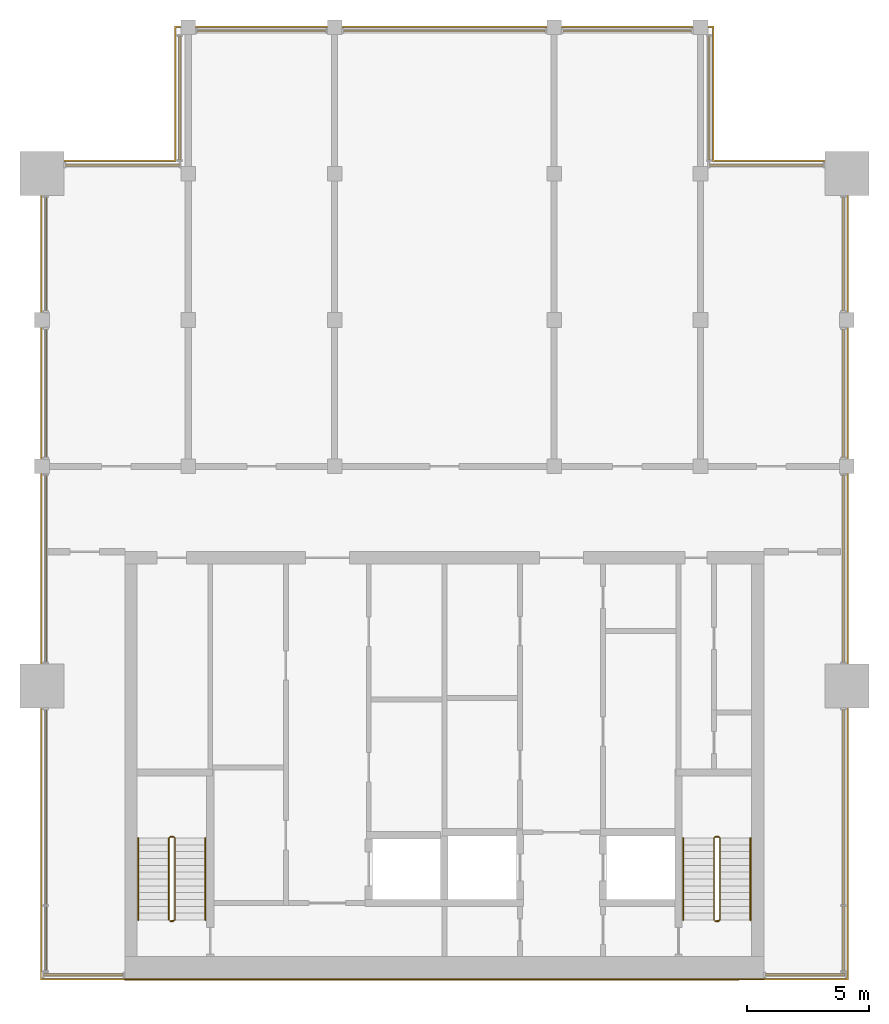
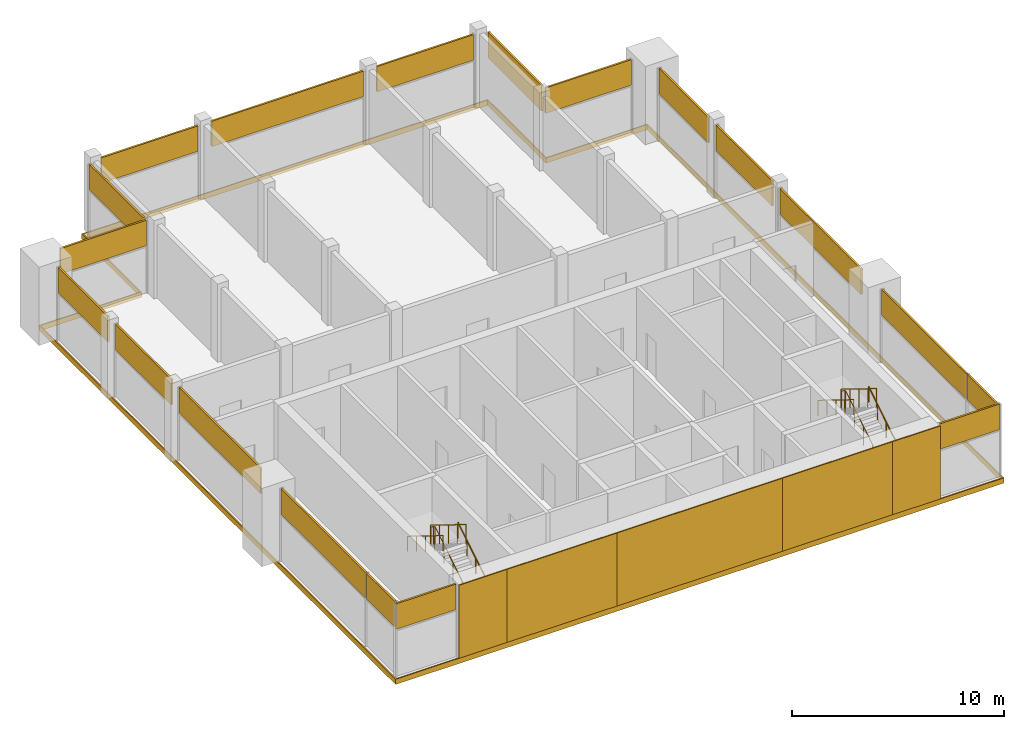
# One storey, part 9 of 9: 19 shading devices, 6 coverings, 6 railings, 17 elements without a shape of their own.
"""IFC4 building model written with IfcOpenShell, lengths in metres."""

from ifc_helpers import new_model, si_unit, direction, frame, origin, origin_2d, place, context, subcontext, project, spatial, polyline, rectangle, circle, outline, extrude, material, layer, layer_set, type_object, element, aggregate, save


model = new_model("IFC4")

# Units and contexts
model_context = context("Model", 3, precision=1e-05, world=origin(), true_north=direction((0.0, 1.0)))
body_context = subcontext(model_context, "Body", "Model", "MODEL_VIEW")
ifc_project = project(units=[si_unit("LENGTHUNIT", "METRE"), si_unit("AREAUNIT", "SQUARE_METRE"), si_unit("VOLUMEUNIT", "CUBIC_METRE"), si_unit("PLANEANGLEUNIT", "RADIAN"), si_unit("MASSUNIT", "GRAM", prefix="KILO")], contexts=[model_context])

# Site, building, storey
site_placement = place(None, origin())
site = spatial("IfcSite", under=ifc_project, at=site_placement, CompositionType="ELEMENT")
building_placement = place(site_placement, origin())
building = spatial("IfcBuilding", under=site, at=building_placement, Name="Finial Court Residences", CompositionType="ELEMENT")
storey_placement = place(building_placement, frame((0.0, 0.0, 303.199951171875)))
storey = spatial("IfcBuildingStorey", under=building, at=storey_placement, Name="L77", CompositionType="ELEMENT", Elevation=303.199951171875)

# Curtain wall, shading device
ifc_material_1 = material(Name="Bronze anodised aluminium", Category="aluminium")
curtain_wall_type = type_object("IfcCurtainWallType", Name="Crown lantern glazing", PredefinedType="NOTDEFINED", material=ifc_material_1)
curtain_wall_1_placement = place(storey_placement, origin())
curtain_wall_1 = element("IfcCurtainWall", 1, at=curtain_wall_1_placement, inside=storey, type_object=curtain_wall_type, Name="E-L77-CW-N1c1", PredefinedType="NOTDEFINED")
ifc_layer_1 = layer(ifc_material_1, 0.10009765625)
ifc_layer_set_1 = layer_set([ifc_layer_1], Name="CW6 louvre panel 100")
shading_device_type = type_object("IfcShadingDeviceType", Name="CW6 louvre panel 100", PredefinedType="USERDEFINED", material=ifc_layer_set_1)
shading_device_1_placement = place(storey_placement, frame((-7.5, 13.35009765625, 2.73486328125), z_axis=(0.0, 0.0, 1.0), x_axis=(1.0, 0.0, 0.0)))
shading_device_1 = element("IfcShadingDevice", 2, at=shading_device_1_placement, type_object=shading_device_type, Name="CW6 louvre 1.2", ObjectType="LOUVRE", PredefinedType="USERDEFINED", context=body_context, shape_type="SweptSolid", body=[
    extrude(rectangle(XDim=5.260009765625, YDim=0.10009765625, at=origin_2d()), origin(), (0.0, 0.0, 1.0), 1.465087890625),
])
aggregate(curtain_wall_1, [shading_device_1])

curtain_wall_2_placement = place(storey_placement, origin())
curtain_wall_2 = element("IfcCurtainWall", 3, at=curtain_wall_2_placement, inside=storey, type_object=curtain_wall_type, Name="E-L77-CW-N1c2", PredefinedType="NOTDEFINED")
shading_device_2_placement = place(storey_placement, frame((0.0, 13.35009765625, 2.73486328125), z_axis=(0.0, 0.0, 1.0), x_axis=(1.0, 0.0, 0.0)))
shading_device_2 = element("IfcShadingDevice", 4, at=shading_device_2_placement, type_object=shading_device_type, Name="CW6 louvre 1.2", ObjectType="LOUVRE", PredefinedType="USERDEFINED", context=body_context, shape_type="SweptSolid", body=[
    extrude(rectangle(XDim=8.260009765625, YDim=0.10009765625, at=origin_2d()), origin(), (0.0, 0.0, 1.0), 1.465087890625),
])
aggregate(curtain_wall_2, [shading_device_2])

curtain_wall_3_placement = place(storey_placement, origin())
curtain_wall_3 = element("IfcCurtainWall", 5, at=curtain_wall_3_placement, inside=storey, type_object=curtain_wall_type, Name="E-L77-CW-N1c3", PredefinedType="NOTDEFINED")
shading_device_3_placement = place(storey_placement, frame((7.5, 13.35009765625, 2.73486328125), z_axis=(0.0, 0.0, 1.0), x_axis=(1.0, 0.0, 0.0)))
shading_device_3 = element("IfcShadingDevice", 6, at=shading_device_3_placement, type_object=shading_device_type, Name="CW6 louvre 1.2", ObjectType="LOUVRE", PredefinedType="USERDEFINED", context=body_context, shape_type="SweptSolid", body=[
    extrude(rectangle(XDim=5.260009765625, YDim=0.10009765625, at=origin_2d()), origin(), (0.0, 0.0, 1.0), 1.465087890625),
])
aggregate(curtain_wall_3, [shading_device_3])

# Curtain wall, shading devices
curtain_wall_4_placement = place(storey_placement, origin())
curtain_wall_4 = element("IfcCurtainWall", 7, at=curtain_wall_4_placement, inside=storey, type_object=curtain_wall_type, Name="E-L77-CW-E2c1", PredefinedType="NOTDEFINED")
shading_device_4_placement = place(storey_placement, frame((16.35009765625, -23.857421875, 2.73486328125), z_axis=(0.0, 0.0, 1.0), x_axis=(0.0, 1.0, 0.0)))
shading_device_4 = element("IfcShadingDevice", 8, at=shading_device_4_placement, type_object=shading_device_type, Name="CW6 louvre 1.2", ObjectType="LOUVRE", PredefinedType="USERDEFINED", context=body_context, shape_type="SweptSolid", body=[
    extrude(rectangle(XDim=2.64501953125, YDim=0.10009765625, at=origin_2d()), origin(), (0.0, 0.0, 1.0), 1.465087890625),
])
shading_device_5_placement = place(storey_placement, frame((16.35009765625, -18.467529296875, 2.73486328125), z_axis=(0.0, 0.0, 1.0), x_axis=(0.0, 1.0, 0.0)))
shading_device_5 = element("IfcShadingDevice", 9, at=shading_device_5_placement, type_object=shading_device_type, Name="CW6 louvre 2.2", ObjectType="LOUVRE", PredefinedType="USERDEFINED", context=body_context, shape_type="SweptSolid", body=[
    extrude(rectangle(XDim=7.9951171875, YDim=0.10009765625, at=origin_2d()), origin(), (0.0, 0.0, 1.0), 1.465087890625),
])
aggregate(curtain_wall_4, [shading_device_4, shading_device_5])

# Curtain wall, shading device
curtain_wall_5_placement = place(storey_placement, origin())
curtain_wall_5 = element("IfcCurtainWall", 10, at=curtain_wall_5_placement, inside=storey, type_object=curtain_wall_type, Name="E-L77-CW-E2c2", PredefinedType="NOTDEFINED")
shading_device_6_placement = place(storey_placement, frame((16.35009765625, -8.699951171875, 2.73486328125), z_axis=(0.0, 0.0, 1.0), x_axis=(0.0, 1.0, 0.0)))
shading_device_6 = element("IfcShadingDevice", 11, at=shading_device_6_placement, type_object=shading_device_type, Name="CW6 louvre 1.2", ObjectType="LOUVRE", PredefinedType="USERDEFINED", context=body_context, shape_type="SweptSolid", body=[
    extrude(rectangle(XDim=7.659912109375, YDim=0.10009765625, at=origin_2d()), origin(), (0.0, 0.0, 1.0), 1.465087890625),
])
aggregate(curtain_wall_5, [shading_device_6])

curtain_wall_6_placement = place(storey_placement, origin())
curtain_wall_6 = element("IfcCurtainWall", 12, at=curtain_wall_6_placement, inside=storey, type_object=curtain_wall_type, Name="E-L77-CW-E2c3", PredefinedType="NOTDEFINED")
shading_device_7_placement = place(storey_placement, frame((16.35009765625, -1.5, 2.73486328125), z_axis=(0.0, 0.0, 1.0), x_axis=(0.0, 1.0, 0.0)))
shading_device_7 = element("IfcShadingDevice", 13, at=shading_device_7_placement, type_object=shading_device_type, Name="CW6 louvre 1.2", ObjectType="LOUVRE", PredefinedType="USERDEFINED", context=body_context, shape_type="SweptSolid", body=[
    extrude(rectangle(XDim=5.260009765625, YDim=0.10009765625, at=origin_2d()), origin(), (0.0, 0.0, 1.0), 1.465087890625),
])
aggregate(curtain_wall_6, [shading_device_7])

curtain_wall_7_placement = place(storey_placement, origin())
curtain_wall_7 = element("IfcCurtainWall", 14, at=curtain_wall_7_placement, inside=storey, type_object=curtain_wall_type, Name="E-L77-CW-E2c4", PredefinedType="NOTDEFINED")
shading_device_8_placement = place(storey_placement, frame((16.35009765625, 4.199951171875, 2.73486328125), z_axis=(0.0, 0.0, 1.0), x_axis=(0.0, 1.0, 0.0)))
shading_device_8 = element("IfcShadingDevice", 15, at=shading_device_8_placement, type_object=shading_device_type, Name="CW6 louvre 1.2", ObjectType="LOUVRE", PredefinedType="USERDEFINED", context=body_context, shape_type="SweptSolid", body=[
    extrude(rectangle(XDim=4.659912109375, YDim=0.10009765625, at=origin_2d()), origin(), (0.0, 0.0, 1.0), 1.465087890625),
])
aggregate(curtain_wall_7, [shading_device_8])

curtain_wall_8_placement = place(storey_placement, origin())
curtain_wall_8 = element("IfcCurtainWall", 16, at=curtain_wall_8_placement, inside=storey, type_object=curtain_wall_type, Name="E-L77-CW-S3", PredefinedType="NOTDEFINED")
shading_device_9_placement = place(storey_placement, frame((-14.800048828125, -25.35009765625, 2.73486328125), z_axis=(0.0, 0.0, 1.0), x_axis=(1.0, 0.0, 0.0)))
shading_device_9 = element("IfcShadingDevice", 17, at=shading_device_9_placement, type_object=shading_device_type, Name="CW6 louvre 1.2", ObjectType="LOUVRE", PredefinedType="USERDEFINED", context=body_context, shape_type="SweptSolid", body=[
    extrude(rectangle(XDim=3.260009765625, YDim=0.10009765625, at=origin_2d()), origin(), (0.0, 0.0, 1.0), 1.465087890625),
])
aggregate(curtain_wall_8, [shading_device_9])

curtain_wall_9_placement = place(storey_placement, origin())
curtain_wall_9 = element("IfcCurtainWall", 18, at=curtain_wall_9_placement, inside=storey, type_object=curtain_wall_type, Name="E-L77-CW-S4", PredefinedType="NOTDEFINED")
shading_device_10_placement = place(storey_placement, frame((14.800048828125, -25.35009765625, 2.73486328125), z_axis=(0.0, 0.0, 1.0), x_axis=(1.0, 0.0, 0.0)))
shading_device_10 = element("IfcShadingDevice", 19, at=shading_device_10_placement, type_object=shading_device_type, Name="CW6 louvre 1.2", ObjectType="LOUVRE", PredefinedType="USERDEFINED", context=body_context, shape_type="SweptSolid", body=[
    extrude(rectangle(XDim=3.260009765625, YDim=0.10009765625, at=origin_2d()), origin(), (0.0, 0.0, 1.0), 1.465087890625),
])
aggregate(curtain_wall_9, [shading_device_10])

# Curtain wall, shading devices
curtain_wall_10_placement = place(storey_placement, origin())
curtain_wall_10 = element("IfcCurtainWall", 20, at=curtain_wall_10_placement, inside=storey, type_object=curtain_wall_type, Name="E-L77-CW-W5c1", PredefinedType="NOTDEFINED")
shading_device_11_placement = place(storey_placement, frame((-16.35009765625, -23.857421875, 2.73486328125), z_axis=(0.0, 0.0, 1.0), x_axis=(0.0, 1.0, 0.0)))
shading_device_11 = element("IfcShadingDevice", 21, at=shading_device_11_placement, type_object=shading_device_type, Name="CW6 louvre 1.2", ObjectType="LOUVRE", PredefinedType="USERDEFINED", context=body_context, shape_type="SweptSolid", body=[
    extrude(rectangle(XDim=2.64501953125, YDim=0.10009765625, at=origin_2d()), origin(), (0.0, 0.0, 1.0), 1.465087890625),
])
shading_device_12_placement = place(storey_placement, frame((-16.35009765625, -18.467529296875, 2.73486328125), z_axis=(0.0, 0.0, 1.0), x_axis=(0.0, 1.0, 0.0)))
shading_device_12 = element("IfcShadingDevice", 22, at=shading_device_12_placement, type_object=shading_device_type, Name="CW6 louvre 2.2", ObjectType="LOUVRE", PredefinedType="USERDEFINED", context=body_context, shape_type="SweptSolid", body=[
    extrude(rectangle(XDim=7.9951171875, YDim=0.10009765625, at=origin_2d()), origin(), (0.0, 0.0, 1.0), 1.465087890625),
])
aggregate(curtain_wall_10, [shading_device_11, shading_device_12])

# Curtain wall, shading device
curtain_wall_11_placement = place(storey_placement, origin())
curtain_wall_11 = element("IfcCurtainWall", 23, at=curtain_wall_11_placement, inside=storey, type_object=curtain_wall_type, Name="E-L77-CW-W5c2", PredefinedType="NOTDEFINED")
shading_device_13_placement = place(storey_placement, frame((-16.35009765625, -8.699951171875, 2.73486328125), z_axis=(0.0, 0.0, 1.0), x_axis=(0.0, 1.0, 0.0)))
shading_device_13 = element("IfcShadingDevice", 24, at=shading_device_13_placement, type_object=shading_device_type, Name="CW6 louvre 1.2", ObjectType="LOUVRE", PredefinedType="USERDEFINED", context=body_context, shape_type="SweptSolid", body=[
    extrude(rectangle(XDim=7.659912109375, YDim=0.10009765625, at=origin_2d()), origin(), (0.0, 0.0, 1.0), 1.465087890625),
])
aggregate(curtain_wall_11, [shading_device_13])

curtain_wall_12_placement = place(storey_placement, origin())
curtain_wall_12 = element("IfcCurtainWall", 25, at=curtain_wall_12_placement, inside=storey, type_object=curtain_wall_type, Name="E-L77-CW-W5c3", PredefinedType="NOTDEFINED")
shading_device_14_placement = place(storey_placement, frame((-16.35009765625, -1.5, 2.73486328125), z_axis=(0.0, 0.0, 1.0), x_axis=(0.0, 1.0, 0.0)))
shading_device_14 = element("IfcShadingDevice", 26, at=shading_device_14_placement, type_object=shading_device_type, Name="CW6 louvre 1.2", ObjectType="LOUVRE", PredefinedType="USERDEFINED", context=body_context, shape_type="SweptSolid", body=[
    extrude(rectangle(XDim=5.260009765625, YDim=0.10009765625, at=origin_2d()), origin(), (0.0, 0.0, 1.0), 1.465087890625),
])
aggregate(curtain_wall_12, [shading_device_14])

curtain_wall_13_placement = place(storey_placement, origin())
curtain_wall_13 = element("IfcCurtainWall", 27, at=curtain_wall_13_placement, inside=storey, type_object=curtain_wall_type, Name="E-L77-CW-W5c4", PredefinedType="NOTDEFINED")
shading_device_15_placement = place(storey_placement, frame((-16.35009765625, 4.199951171875, 2.73486328125), z_axis=(0.0, 0.0, 1.0), x_axis=(0.0, 1.0, 0.0)))
shading_device_15 = element("IfcShadingDevice", 28, at=shading_device_15_placement, type_object=shading_device_type, Name="CW6 louvre 1.2", ObjectType="LOUVRE", PredefinedType="USERDEFINED", context=body_context, shape_type="SweptSolid", body=[
    extrude(rectangle(XDim=4.659912109375, YDim=0.10009765625, at=origin_2d()), origin(), (0.0, 0.0, 1.0), 1.465087890625),
])
aggregate(curtain_wall_13, [shading_device_15])

curtain_wall_14_placement = place(storey_placement, origin())
curtain_wall_14 = element("IfcCurtainWall", 29, at=curtain_wall_14_placement, inside=storey, type_object=curtain_wall_type, Name="E-L77-CW-W6nc1", PredefinedType="NOTDEFINED")
shading_device_16_placement = place(storey_placement, frame((-10.85009765625, 10.60009765625, 2.73486328125), z_axis=(0.0, 0.0, 1.0), x_axis=(0.0, 1.0, 0.0)))
shading_device_16 = element("IfcShadingDevice", 30, at=shading_device_16_placement, type_object=shading_device_type, Name="CW6 louvre 1.2", ObjectType="LOUVRE", PredefinedType="USERDEFINED", context=body_context, shape_type="SweptSolid", body=[
    extrude(rectangle(XDim=5.06005859375, YDim=0.10009765625, at=origin_2d()), origin(), (0.0, 0.0, 1.0), 1.465087890625),
])
aggregate(curtain_wall_14, [shading_device_16])

curtain_wall_15_placement = place(storey_placement, origin())
curtain_wall_15 = element("IfcCurtainWall", 31, at=curtain_wall_15_placement, inside=storey, type_object=curtain_wall_type, Name="E-L77-CW-N7nc1", PredefinedType="NOTDEFINED")
shading_device_17_placement = place(storey_placement, frame((-13.199951171875, 7.85009765625, 2.73486328125), z_axis=(0.0, 0.0, 1.0), x_axis=(1.0, 0.0, 0.0)))
shading_device_17 = element("IfcShadingDevice", 32, at=shading_device_17_placement, type_object=shading_device_type, Name="CW6 louvre 1.2", ObjectType="LOUVRE", PredefinedType="USERDEFINED", context=body_context, shape_type="SweptSolid", body=[
    extrude(rectangle(XDim=4.659912109375, YDim=0.10009765625, at=origin_2d()), origin(), (0.0, 0.0, 1.0), 1.465087890625),
])
aggregate(curtain_wall_15, [shading_device_17])

curtain_wall_16_placement = place(storey_placement, origin())
curtain_wall_16 = element("IfcCurtainWall", 33, at=curtain_wall_16_placement, inside=storey, type_object=curtain_wall_type, Name="E-L77-CW-E8nc1", PredefinedType="NOTDEFINED")
shading_device_18_placement = place(storey_placement, frame((10.85009765625, 10.60009765625, 2.73486328125), z_axis=(0.0, 0.0, 1.0), x_axis=(0.0, 1.0, 0.0)))
shading_device_18 = element("IfcShadingDevice", 34, at=shading_device_18_placement, type_object=shading_device_type, Name="CW6 louvre 1.2", ObjectType="LOUVRE", PredefinedType="USERDEFINED", context=body_context, shape_type="SweptSolid", body=[
    extrude(rectangle(XDim=5.06005859375, YDim=0.10009765625, at=origin_2d()), origin(), (0.0, 0.0, 1.0), 1.465087890625),
])
aggregate(curtain_wall_16, [shading_device_18])

curtain_wall_17_placement = place(storey_placement, origin())
curtain_wall_17 = element("IfcCurtainWall", 35, at=curtain_wall_17_placement, inside=storey, type_object=curtain_wall_type, Name="E-L77-CW-N9nc1", PredefinedType="NOTDEFINED")
shading_device_19_placement = place(storey_placement, frame((13.199951171875, 7.85009765625, 2.73486328125), z_axis=(0.0, 0.0, 1.0), x_axis=(1.0, 0.0, 0.0)))
shading_device_19 = element("IfcShadingDevice", 36, at=shading_device_19_placement, type_object=shading_device_type, Name="CW6 louvre 1.2", ObjectType="LOUVRE", PredefinedType="USERDEFINED", context=body_context, shape_type="SweptSolid", body=[
    extrude(rectangle(XDim=4.659912109375, YDim=0.10009765625, at=origin_2d()), origin(), (0.0, 0.0, 1.0), 1.465087890625),
])
aggregate(curtain_wall_17, [shading_device_19])

# Coverings
ifc_material_2 = material(Name="Natural limestone", Category="masonry")
ifc_layer_2 = layer(ifc_material_2, 0.06005859375)
ifc_layer_set_2 = layer_set([ifc_layer_2], Name="Limestone cladding to the blind core face 60")
covering_type_1 = type_object("IfcCoveringType", Name="Limestone cladding to the blind core face 60", PredefinedType="CLADDING", material=ifc_layer_set_2)
covering_1_placement = place(storey_placement, origin())
element("IfcCovering", 37, at=covering_1_placement, inside=storey, type_object=covering_type_1, Name="E-L77-CLAD1", PredefinedType="CLADDING", context=body_context, shape_type="SweptSolid", body=[
    extrude(outline(polyline([(-10.5, -25.56005859375), (-10.5, -25.5), (-13.10009765625, -25.5), (-13.10009765625, -25.56005859375), (-10.5, -25.56005859375)])), origin(), (0.0, 0.0, 1.0), 4.199951171875),
])
covering_2_placement = place(storey_placement, origin())
element("IfcCovering", 38, at=covering_2_placement, inside=storey, type_object=covering_type_1, Name="E-L77-CLAD2", PredefinedType="CLADDING", context=body_context, shape_type="SweptSolid", body=[
    extrude(outline(polyline([(-4.5, -25.56005859375), (-4.5, -25.5), (-10.5, -25.5), (-10.5, -25.56005859375), (-4.5, -25.56005859375)])), origin(), (0.0, 0.0, 1.0), 4.199951171875),
])
covering_3_placement = place(storey_placement, origin())
element("IfcCovering", 39, at=covering_3_placement, inside=storey, type_object=covering_type_1, Name="E-L77-CLAD3", PredefinedType="CLADDING", context=body_context, shape_type="SweptSolid", body=[
    extrude(outline(polyline([(4.5, -25.56005859375), (4.5, -25.5), (-4.5, -25.5), (-4.5, -25.56005859375), (4.5, -25.56005859375)])), origin(), (0.0, 0.0, 1.0), 4.199951171875),
])
covering_4_placement = place(storey_placement, origin())
element("IfcCovering", 40, at=covering_4_placement, inside=storey, type_object=covering_type_1, Name="E-L77-CLAD4", PredefinedType="CLADDING", context=body_context, shape_type="SweptSolid", body=[
    extrude(outline(polyline([(10.5, -25.56005859375), (10.5, -25.5), (4.5, -25.5), (4.5, -25.56005859375), (10.5, -25.56005859375)])), origin(), (0.0, 0.0, 1.0), 4.199951171875),
])
covering_5_placement = place(storey_placement, origin())
element("IfcCovering", 41, at=covering_5_placement, inside=storey, type_object=covering_type_1, Name="E-L77-CLAD5", PredefinedType="CLADDING", context=body_context, shape_type="SweptSolid", body=[
    extrude(outline(polyline([(13.10009765625, -25.56005859375), (13.10009765625, -25.5), (10.5, -25.5), (10.5, -25.56005859375), (13.10009765625, -25.56005859375)])), origin(), (0.0, 0.0, 1.0), 4.199951171875),
])
ifc_material_3 = material(Name="Pale limestone", Category="masonry")
ifc_layer_3 = layer(ifc_material_3, 0.06005859375)
ifc_layer_set_3 = layer_set([ifc_layer_3], Name="Pale limestone slab-edge band 60")
covering_type_2 = type_object("IfcCoveringType", Name="Pale limestone slab-edge band 60", PredefinedType="CLADDING", material=ifc_layer_set_3)
covering_6_placement = place(storey_placement, frame((0.0, 0.0, -0.300048828125)))
element("IfcCovering", 42, at=covering_6_placement, inside=storey, type_object=covering_type_2, Name="E-L77-BAND1", PredefinedType="CLADDING", context=body_context, shape_type="SweptSolid", body=[
    extrude(outline(polyline([(-16.56005859375, -25.56005859375), (-16.56005859375, 8.06005859375), (-11.06005859375, 8.06005859375), (-11.06005859375, 13.56005859375), (11.06005859375, 13.56005859375), (11.06005859375, 8.06005859375), (16.56005859375, 8.06005859375), (16.56005859375, -25.56005859375), (-16.56005859375, -25.56005859375)]), holes=[polyline([(16.5, 8.0), (11.0, 8.0), (11.0, 13.5), (-11.0, 13.5), (-11.0, 8.0), (-16.5, 8.0), (-16.5, -25.5), (16.5, -25.5), (16.5, 8.0)])]), origin(), (0.0, 0.0, 1.0), 0.300048828125),
])

# Railings
ifc_material_4 = material(Name="Stainless steel railing", Category="steel")
railing_type_1 = type_object("IfcRailingType", Name="Stair guard 1100", PredefinedType="GUARDRAIL", material=ifc_material_4)
railing_1_placement = place(storey_placement, frame((-11.10009765625, -23.14990234375, 0.0)))
element("IfcRailing", 43, at=railing_1_placement, inside=storey, type_object=railing_type_1, Name="L77 ST-1 stair guard 1", PredefinedType="GUARDRAIL", context=body_context, shape_type="SweptSolid", body=[
    extrude(circle(Radius=0.02392578125, at=origin_2d()), frame((0.0, 0.0, 1.076171875), z_axis=(-1.0, 0.0, 0.0), x_axis=(0.0, -1.0, 0.0)), (0.0, 0.0, 1.0), 0.14990234375),
    extrude(circle(Radius=0.02392578125, at=origin_2d()), frame((-0.14990234375, 0.0, 1.076171875), z_axis=(0.742994154839, 0.185068141132, 0.643202510111), x_axis=(-0.241699205484, 0.970351222016, 0.0)), (0.0, 0.0, 1.0), 0.26904296875),
    extrude(circle(Radius=0.02392578125, at=origin_2d()), frame((0.050048828125, 0.0498046875, 1.2490234375), z_axis=(0.0, 0.850623216509, 0.525775754039), x_axis=(-1.0, 0.0, 0.0)), (0.0, 0.0, 1.0), 3.9501953125),
    extrude(circle(Radius=0.02392578125, at=origin_2d()), frame((0.050048828125, 3.409912109375, 3.326171875), z_axis=(-0.707106781187, 0.707106781187, 0.0), x_axis=(-0.707106781187, -0.707106781187, 0.0)), (0.0, 0.0, 1.0), 0.07080078125),
    extrude(circle(Radius=0.02392578125, at=origin_2d()), frame((0.0, 3.4599609375, 3.326171875), z_axis=(-1.0, 0.0, 0.0), x_axis=(0.0, -1.0, 0.0)), (0.0, 0.0, 1.0), 0.14990234375),
    extrude(circle(Radius=0.02392578125, at=origin_2d()), frame((-0.14990234375, 3.4599609375, 3.326171875), z_axis=(-0.267629722418, -0.267629722418, 0.925607186314), x_axis=(0.707106781187, -0.707106781187, 0.0)), (0.0, 0.0, 1.0), 0.18701171875),
    extrude(circle(Radius=0.02392578125, at=origin_2d()), frame((-0.199951171875, 3.409912109375, 3.4990234375), z_axis=(0.0, -0.850623216509, 0.525775754039), x_axis=(1.0, 0.0, 0.0)), (0.0, 0.0, 1.0), 3.9501953125),
    extrude(circle(Radius=0.02099609375, at=origin_2d()), origin(), (0.0, 0.0, 1.0), 1.052001953125),
    extrude(circle(Radius=0.02099609375, at=origin_2d()), frame((-0.14990234375, 0.0, 0.0)), (0.0, 0.0, 1.0), 1.052001953125),
    extrude(circle(Radius=0.02099609375, at=origin_2d()), frame((0.050048828125, 0.0498046875, 0.173095703125)), (0.0, 0.0, 1.0), 1.052001953125),
    extrude(circle(Radius=0.02099609375, at=origin_2d()), frame((0.050048828125, 0.889892578125, 0.6923828125)), (0.0, 0.0, 1.0), 1.052001953125),
    extrude(circle(Radius=0.02099609375, at=origin_2d()), frame((0.050048828125, 1.72998046875, 1.21142578125)), (0.0, 0.0, 1.0), 1.052001953125),
    extrude(circle(Radius=0.02099609375, at=origin_2d()), frame((0.050048828125, 2.56982421875, 1.730712890625)), (0.0, 0.0, 1.0), 1.052001953125),
    extrude(circle(Radius=0.02099609375, at=origin_2d()), frame((0.050048828125, 3.409912109375, 2.25)), (0.0, 0.0, 1.0), 1.052001953125),
    extrude(circle(Radius=0.02099609375, at=origin_2d()), frame((0.0, 3.4599609375, 2.25)), (0.0, 0.0, 1.0), 1.052001953125),
    extrude(circle(Radius=0.02099609375, at=origin_2d()), frame((-0.14990234375, 3.4599609375, 2.25)), (0.0, 0.0, 1.0), 1.052001953125),
    extrude(circle(Radius=0.02099609375, at=origin_2d()), frame((-0.199951171875, 3.409912109375, 2.423095703125)), (0.0, 0.0, 1.0), 1.052001953125),
    extrude(circle(Radius=0.02099609375, at=origin_2d()), frame((-0.199951171875, 2.56982421875, 2.9423828125)), (0.0, 0.0, 1.0), 1.052001953125),
    extrude(circle(Radius=0.02099609375, at=origin_2d()), frame((-0.199951171875, 1.72998046875, 3.46142578125)), (0.0, 0.0, 1.0), 1.052001953125),
    extrude(circle(Radius=0.02099609375, at=origin_2d()), frame((-0.199951171875, 0.889892578125, 3.980712890625)), (0.0, 0.0, 1.0), 1.052001953125),
    extrude(circle(Radius=0.02099609375, at=origin_2d()), frame((-0.199951171875, 0.0498046875, 4.5)), (0.0, 0.0, 1.0), 1.052001953125),
])
railing_2_placement = place(storey_placement, frame((11.25, -23.14990234375, 0.0)))
element("IfcRailing", 44, at=railing_2_placement, inside=storey, type_object=railing_type_1, Name="L77 ST-2 stair guard 1", PredefinedType="GUARDRAIL", context=body_context, shape_type="SweptSolid", body=[
    extrude(circle(Radius=0.02392578125, at=origin_2d()), frame((0.0, 0.0, 1.076171875), z_axis=(-1.0, 0.0, 0.0), x_axis=(0.0, -1.0, 0.0)), (0.0, 0.0, 1.0), 0.14990234375),
    extrude(circle(Radius=0.02392578125, at=origin_2d()), frame((-0.14990234375, 0.0, 1.076171875), z_axis=(0.742994154839, 0.185068141132, 0.643202510111), x_axis=(-0.241699205484, 0.970351222016, 0.0)), (0.0, 0.0, 1.0), 0.26904296875),
    extrude(circle(Radius=0.02392578125, at=origin_2d()), frame((0.050048828125, 0.0498046875, 1.2490234375), z_axis=(0.0, 0.850623216509, 0.525775754039), x_axis=(-1.0, 0.0, 0.0)), (0.0, 0.0, 1.0), 3.9501953125),
    extrude(circle(Radius=0.02392578125, at=origin_2d()), frame((0.050048828125, 3.409912109375, 3.326171875), z_axis=(-0.707106781187, 0.707106781187, 0.0), x_axis=(-0.707106781187, -0.707106781187, 0.0)), (0.0, 0.0, 1.0), 0.07080078125),
    extrude(circle(Radius=0.02392578125, at=origin_2d()), frame((0.0, 3.4599609375, 3.326171875), z_axis=(-1.0, 0.0, 0.0), x_axis=(0.0, -1.0, 0.0)), (0.0, 0.0, 1.0), 0.14990234375),
    extrude(circle(Radius=0.02392578125, at=origin_2d()), frame((-0.14990234375, 3.4599609375, 3.326171875), z_axis=(-0.267629722418, -0.267629722418, 0.925607186314), x_axis=(0.707106781187, -0.707106781187, 0.0)), (0.0, 0.0, 1.0), 0.18701171875),
    extrude(circle(Radius=0.02392578125, at=origin_2d()), frame((-0.199951171875, 3.409912109375, 3.4990234375), z_axis=(0.0, -0.850623216509, 0.525775754039), x_axis=(1.0, 0.0, 0.0)), (0.0, 0.0, 1.0), 3.9501953125),
    extrude(circle(Radius=0.02099609375, at=origin_2d()), origin(), (0.0, 0.0, 1.0), 1.052001953125),
    extrude(circle(Radius=0.02099609375, at=origin_2d()), frame((-0.14990234375, 0.0, 0.0)), (0.0, 0.0, 1.0), 1.052001953125),
    extrude(circle(Radius=0.02099609375, at=origin_2d()), frame((0.050048828125, 0.0498046875, 0.173095703125)), (0.0, 0.0, 1.0), 1.052001953125),
    extrude(circle(Radius=0.02099609375, at=origin_2d()), frame((0.050048828125, 0.889892578125, 0.6923828125)), (0.0, 0.0, 1.0), 1.052001953125),
    extrude(circle(Radius=0.02099609375, at=origin_2d()), frame((0.050048828125, 1.72998046875, 1.21142578125)), (0.0, 0.0, 1.0), 1.052001953125),
    extrude(circle(Radius=0.02099609375, at=origin_2d()), frame((0.050048828125, 2.56982421875, 1.730712890625)), (0.0, 0.0, 1.0), 1.052001953125),
    extrude(circle(Radius=0.02099609375, at=origin_2d()), frame((0.050048828125, 3.409912109375, 2.25)), (0.0, 0.0, 1.0), 1.052001953125),
    extrude(circle(Radius=0.02099609375, at=origin_2d()), frame((0.0, 3.4599609375, 2.25)), (0.0, 0.0, 1.0), 1.052001953125),
    extrude(circle(Radius=0.02099609375, at=origin_2d()), frame((-0.14990234375, 3.4599609375, 2.25)), (0.0, 0.0, 1.0), 1.052001953125),
    extrude(circle(Radius=0.02099609375, at=origin_2d()), frame((-0.199951171875, 3.409912109375, 2.423095703125)), (0.0, 0.0, 1.0), 1.052001953125),
    extrude(circle(Radius=0.02099609375, at=origin_2d()), frame((-0.199951171875, 2.56982421875, 2.9423828125)), (0.0, 0.0, 1.0), 1.052001953125),
    extrude(circle(Radius=0.02099609375, at=origin_2d()), frame((-0.199951171875, 1.72998046875, 3.46142578125)), (0.0, 0.0, 1.0), 1.052001953125),
    extrude(circle(Radius=0.02099609375, at=origin_2d()), frame((-0.199951171875, 0.889892578125, 3.980712890625)), (0.0, 0.0, 1.0), 1.052001953125),
    extrude(circle(Radius=0.02099609375, at=origin_2d()), frame((-0.199951171875, 0.0498046875, 4.5)), (0.0, 0.0, 1.0), 1.052001953125),
])
railing_type_2 = type_object("IfcRailingType", Name="Stair handrail 900", PredefinedType="HANDRAIL", material=ifc_material_4)
railing_3_placement = place(storey_placement, frame((-9.800048828125, -23.10009765625, 0.173095703125)))
element("IfcRailing", 45, at=railing_3_placement, inside=storey, type_object=railing_type_2, Name="L77 ST-1 stair handrail 1", PredefinedType="HANDRAIL", context=body_context, shape_type="SweptSolid", body=[
    extrude(circle(Radius=0.02392578125, at=origin_2d()), frame((0.0, 0.0, 0.8759765625), z_axis=(0.0, 0.850623216509, 0.525775754039), x_axis=(-1.0, 0.0, 0.0)), (0.0, 0.0, 1.0), 3.9501953125),
    extrude(circle(Radius=0.02099609375, at=origin_2d()), origin(), (0.0, 0.0, 1.0), 0.851806640625),
    extrude(circle(Radius=0.02099609375, at=origin_2d()), frame((0.0, 0.840087890625, 0.519287109375)), (0.0, 0.0, 1.0), 0.851806640625),
    extrude(circle(Radius=0.02099609375, at=origin_2d()), frame((0.0, 1.68017578125, 1.03857421875)), (0.0, 0.0, 1.0), 0.851806640625),
    extrude(circle(Radius=0.02099609375, at=origin_2d()), frame((0.0, 2.52001953125, 1.5576171875)), (0.0, 0.0, 1.0), 0.851806640625),
    extrude(circle(Radius=0.02099609375, at=origin_2d()), frame((0.0, 3.360107421875, 2.076904296875)), (0.0, 0.0, 1.0), 0.851806640625),
])
railing_4_placement = place(storey_placement, frame((-12.550048828125, -19.739990234375, 2.423095703125)))
element("IfcRailing", 46, at=railing_4_placement, inside=storey, type_object=railing_type_2, Name="L77 ST-1 stair handrail 2", PredefinedType="HANDRAIL", context=body_context, shape_type="SweptSolid", body=[
    extrude(circle(Radius=0.02392578125, at=origin_2d()), frame((0.0, 0.0, 0.8759765625), z_axis=(0.0, -0.850623216509, 0.525775754039), x_axis=(1.0, 0.0, 0.0)), (0.0, 0.0, 1.0), 3.9501953125),
    extrude(circle(Radius=0.02099609375, at=origin_2d()), origin(), (0.0, 0.0, 1.0), 0.851806640625),
    extrude(circle(Radius=0.02099609375, at=origin_2d()), frame((0.0, -0.840087890625, 0.519287109375)), (0.0, 0.0, 1.0), 0.851806640625),
    extrude(circle(Radius=0.02099609375, at=origin_2d()), frame((0.0, -1.68017578125, 1.03857421875)), (0.0, 0.0, 1.0), 0.851806640625),
    extrude(circle(Radius=0.02099609375, at=origin_2d()), frame((0.0, -2.52001953125, 1.5576171875)), (0.0, 0.0, 1.0), 0.851806640625),
    extrude(circle(Radius=0.02099609375, at=origin_2d()), frame((0.0, -3.360107421875, 2.076904296875)), (0.0, 0.0, 1.0), 0.851806640625),
])
railing_5_placement = place(storey_placement, frame((12.550048828125, -23.10009765625, 0.173095703125)))
element("IfcRailing", 47, at=railing_5_placement, inside=storey, type_object=railing_type_2, Name="L77 ST-2 stair handrail 1", PredefinedType="HANDRAIL", context=body_context, shape_type="SweptSolid", body=[
    extrude(circle(Radius=0.02392578125, at=origin_2d()), frame((0.0, 0.0, 0.8759765625), z_axis=(0.0, 0.850623216509, 0.525775754039), x_axis=(-1.0, 0.0, 0.0)), (0.0, 0.0, 1.0), 3.9501953125),
    extrude(circle(Radius=0.02099609375, at=origin_2d()), origin(), (0.0, 0.0, 1.0), 0.851806640625),
    extrude(circle(Radius=0.02099609375, at=origin_2d()), frame((0.0, 0.840087890625, 0.519287109375)), (0.0, 0.0, 1.0), 0.851806640625),
    extrude(circle(Radius=0.02099609375, at=origin_2d()), frame((0.0, 1.68017578125, 1.03857421875)), (0.0, 0.0, 1.0), 0.851806640625),
    extrude(circle(Radius=0.02099609375, at=origin_2d()), frame((0.0, 2.52001953125, 1.5576171875)), (0.0, 0.0, 1.0), 0.851806640625),
    extrude(circle(Radius=0.02099609375, at=origin_2d()), frame((0.0, 3.360107421875, 2.076904296875)), (0.0, 0.0, 1.0), 0.851806640625),
])
railing_6_placement = place(storey_placement, frame((9.800048828125, -19.739990234375, 2.423095703125)))
element("IfcRailing", 48, at=railing_6_placement, inside=storey, type_object=railing_type_2, Name="L77 ST-2 stair handrail 2", PredefinedType="HANDRAIL", context=body_context, shape_type="SweptSolid", body=[
    extrude(circle(Radius=0.02392578125, at=origin_2d()), frame((0.0, 0.0, 0.8759765625), z_axis=(0.0, -0.850623216509, 0.525775754039), x_axis=(1.0, 0.0, 0.0)), (0.0, 0.0, 1.0), 3.9501953125),
    extrude(circle(Radius=0.02099609375, at=origin_2d()), origin(), (0.0, 0.0, 1.0), 0.851806640625),
    extrude(circle(Radius=0.02099609375, at=origin_2d()), frame((0.0, -0.840087890625, 0.519287109375)), (0.0, 0.0, 1.0), 0.851806640625),
    extrude(circle(Radius=0.02099609375, at=origin_2d()), frame((0.0, -1.68017578125, 1.03857421875)), (0.0, 0.0, 1.0), 0.851806640625),
    extrude(circle(Radius=0.02099609375, at=origin_2d()), frame((0.0, -2.52001953125, 1.5576171875)), (0.0, 0.0, 1.0), 0.851806640625),
    extrude(circle(Radius=0.02099609375, at=origin_2d()), frame((0.0, -3.360107421875, 2.076904296875)), (0.0, 0.0, 1.0), 0.851806640625),
])

save(model, "model.ifc")
